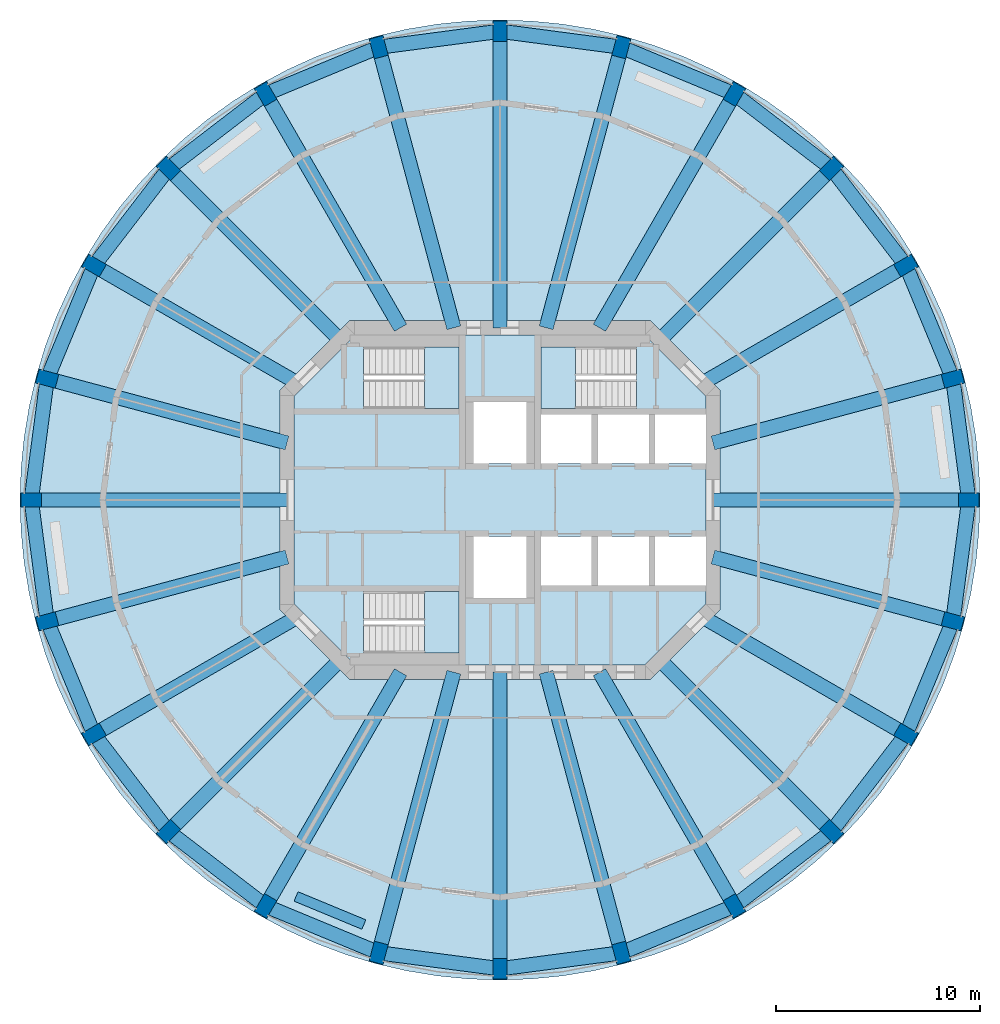
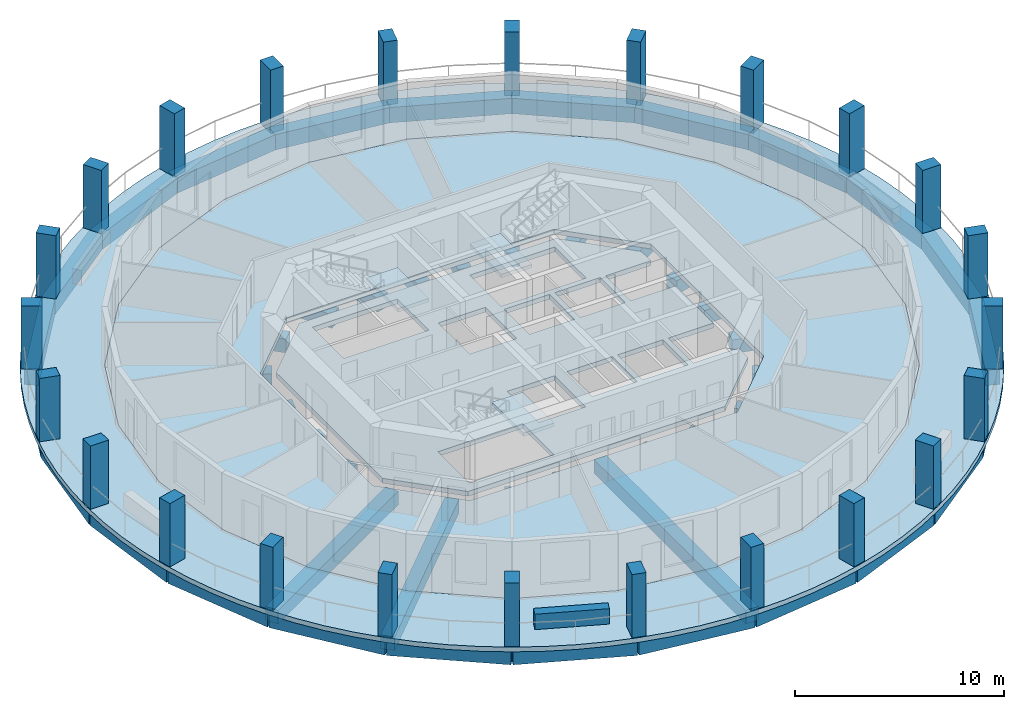
# One storey, part 1 of 9: 48 beams, 24 columns, 6 slabs, 1 wall, 3 elements without a shape of their own.
"""IFC4 building model written with IfcOpenShell, lengths in metres."""

from ifc_helpers import new_model, si_unit, direction, frame, frame_2d, origin, origin_2d, place, context, subcontext, project, spatial, polyline, rectangle, outline, extrude, material, layer, layer_set, material_profile, profile_set, type_object, element, aggregate, save


model = new_model("IFC4")

# Units and contexts
model_context = context("Model", 3, precision=1e-05, world=origin(), true_north=direction((0.0, 1.0)))
body_context = subcontext(model_context, "Body", "Model", "MODEL_VIEW")
ifc_project = project(units=[si_unit("LENGTHUNIT", "METRE"), si_unit("AREAUNIT", "SQUARE_METRE"), si_unit("VOLUMEUNIT", "CUBIC_METRE"), si_unit("PLANEANGLEUNIT", "RADIAN"), si_unit("MASSUNIT", "GRAM", prefix="KILO")], contexts=[model_context])

# Site, building, storey
site_placement = place(None, origin())
site = spatial("IfcSite", under=ifc_project, at=site_placement, CompositionType="ELEMENT")
building_placement = place(site_placement, origin())
building = spatial("IfcBuilding", under=site, at=building_placement, Name="Torre Triforio", CompositionType="ELEMENT")
storey_placement = place(building_placement, frame((0.0, 0.0, 215.0)))
storey = spatial("IfcBuildingStorey", under=building, at=storey_placement, Name="L49", CompositionType="ELEMENT", Elevation=215.0)

# Columns
ifc_material_1 = material(Name="Concrete C50", Category="concrete")
ifc_material_profile_1 = material_profile(ifc_material_1, rectangle(XDim=0.699951171875, YDim=1.0, at=origin_2d()), Name="RC 700x1000")
ifc_profile_set_1 = profile_set([ifc_material_profile_1], Name="Concrete C50")
column_type = type_object("IfcColumnType", Name="Pier RC 700x1000 C50", PredefinedType="COLUMN", material=ifc_profile_set_1)
for number, where, z_axis, x_axis, name in (
    (1, (23.0, 0.0, 0.0), (0.0, 0.0, 1.0), (0.0, 1.0, 0.0), "COL.R.L49.00"),
    (2, (22.21630859375, 5.952880859375, 0.0), (0.0, 0.0, 1.0), (-0.258819045103, 0.965925826289, 0.0), "COL.R.L49.01"),
    (3, (19.918701171875, 11.5, 0.0), (0.0, 0.0, 1.0), (-0.5, 0.866025403784, 0.0), "COL.R.L49.02"),
    (4, (16.263427734375, 16.263427734375, 0.0), (0.0, 0.0, 1.0), (-0.707106781187, 0.707106781187, 0.0), "COL.R.L49.03"),
    (5, (11.5, 19.918701171875, 0.0), (0.0, 0.0, 1.0), (-0.866025403784, 0.5, 0.0), "COL.R.L49.04"),
    (6, (5.952880859375, 22.21630859375, 0.0), (0.0, 0.0, 1.0), (-0.965925826289, 0.258819045103, 0.0), "COL.R.L49.05"),
    (7, (0.0, 23.0, 0.0), (0.0, 0.0, 1.0), (-1.0, 0.0, 0.0), "COL.R.L49.06"),
    (8, (-5.952880859375, 22.21630859375, 0.0), (0.0, 0.0, 1.0), (-0.965925826289, -0.258819045103, 0.0), "COL.R.L49.07"),
    (9, (-11.5, 19.918701171875, 0.0), (0.0, 0.0, 1.0), (-0.866025403784, -0.5, 0.0), "COL.R.L49.08"),
    (10, (-16.263427734375, 16.263427734375, 0.0), (0.0, 0.0, 1.0), (-0.707106781187, -0.707106781187, 0.0), "COL.R.L49.09"),
    (11, (-19.918701171875, 11.5, 0.0), (0.0, 0.0, 1.0), (-0.5, -0.866025403784, 0.0), "COL.R.L49.10"),
    (12, (-22.21630859375, 5.952880859375, 0.0), (0.0, 0.0, 1.0), (-0.258819045103, -0.965925826289, 0.0), "COL.R.L49.11"),
    (13, (-23.0, 0.0, 0.0), (0.0, 0.0, 1.0), (0.0, -1.0, 0.0), "COL.R.L49.12"),
    (14, (-22.21630859375, -5.952880859375, 0.0), (0.0, 0.0, 1.0), (0.258819045103, -0.965925826289, 0.0), "COL.R.L49.13"),
    (15, (-19.918701171875, -11.5, 0.0), (0.0, 0.0, 1.0), (0.5, -0.866025403784, 0.0), "COL.R.L49.14"),
    (16, (-16.263427734375, -16.263427734375, 0.0), (0.0, 0.0, 1.0), (0.707106781187, -0.707106781187, 0.0), "COL.R.L49.15"),
    (17, (-11.5, -19.918701171875, 0.0), (0.0, 0.0, 1.0), (0.866025403784, -0.5, 0.0), "COL.R.L49.16"),
    (18, (-5.952880859375, -22.21630859375, 0.0), (0.0, 0.0, 1.0), (0.965925826289, -0.258819045103, 0.0), "COL.R.L49.17"),
    (19, (0.0, -23.0, 0.0), (0.0, 0.0, 1.0), (1.0, 0.0, 0.0), "COL.R.L49.18"),
    (20, (5.952880859375, -22.21630859375, 0.0), (0.0, 0.0, 1.0), (0.965925826289, 0.258819045103, 0.0), "COL.R.L49.19"),
    (21, (11.5, -19.918701171875, 0.0), (0.0, 0.0, 1.0), (0.866025403784, 0.5, 0.0), "COL.R.L49.20"),
    (22, (16.263427734375, -16.263427734375, 0.0), (0.0, 0.0, 1.0), (0.707106781187, 0.707106781187, 0.0), "COL.R.L49.21"),
    (23, (19.918701171875, -11.5, 0.0), (0.0, 0.0, 1.0), (0.5, 0.866025403784, 0.0), "COL.R.L49.22"),
    (24, (22.21630859375, -5.952880859375, 0.0), (0.0, 0.0, 1.0), (0.258819045103, 0.965925826289, 0.0), "COL.R.L49.23"),
):
    element("IfcColumn", number, at=place(storey_placement, frame(where, z_axis=z_axis, x_axis=x_axis)), inside=storey, type_object=column_type, Name=name, PredefinedType="COLUMN", context=body_context, shape_type="SweptSolid", body=[
        extrude(rectangle(XDim=0.699951171875, YDim=1.0, at=origin_2d()), origin(), (0.0, 0.0, 1.0), 3.699951171875),
    ])

# Beams
ifc_material_2 = material(Name="Concrete C40", Category="concrete")
ifc_material_profile_2 = material_profile(ifc_material_2, rectangle(XDim=0.699951171875, YDim=0.800048828125, at=origin_2d()), Name="RC 700x800")
ifc_profile_set_2 = profile_set([ifc_material_profile_2], Name="Concrete C40")
beam_type_1 = type_object("IfcBeamType", Name="Radial beam RC 700x800 C40", PredefinedType="BEAM", material=ifc_profile_set_2)
beam_1_placement = place(storey_placement, frame((10.449951171875, 0.0, -0.679931640625), z_axis=(1.0, 0.0, 0.0), x_axis=(0.0, 1.0, 0.0)))
element("IfcBeam", 25, at=beam_1_placement, inside=storey, type_object=beam_type_1, Name="BM.R.L49.00", PredefinedType="BEAM", context=body_context, shape_type="SweptSolid", body=[
    extrude(rectangle(XDim=0.699951171875, YDim=0.800048828125, at=origin_2d()), origin(), (0.0, 0.0, 1.0), 12.550048828125),
])
beam_2_placement = place(storey_placement, frame((10.449951171875, 2.800048828125, -0.679931640625), z_axis=(0.965924880947, 0.258822573141, 0.0), x_axis=(-0.258822573141, 0.965924880947, 0.0)))
element("IfcBeam", 26, at=beam_2_placement, inside=storey, type_object=beam_type_1, Name="BM.R.L49.01", PredefinedType="BEAM", context=body_context, shape_type="SweptSolid", body=[
    extrude(rectangle(XDim=0.699951171875, YDim=0.800048828125, at=origin_2d()), origin(), (0.0, 0.0, 1.0), 12.181396484375),
])
beam_3_placement = place(storey_placement, frame((9.9501953125, 5.744873046875, -0.679931640625), z_axis=(0.866032648629, 0.499987451351, 0.0), x_axis=(-0.499987451351, 0.866032648629, 0.0)))
element("IfcBeam", 27, at=beam_3_placement, inside=storey, type_object=beam_type_1, Name="BM.R.L49.02", PredefinedType="BEAM", context=body_context, shape_type="SweptSolid", body=[
    extrude(rectangle(XDim=0.699951171875, YDim=0.800048828125, at=origin_2d()), origin(), (0.0, 0.0, 1.0), 11.510498046875),
])
beam_4_placement = place(storey_placement, frame((7.847412109375, 7.847412109375, -0.679931640625), z_axis=(0.707106781187, 0.707106781187, 0.0), x_axis=(-0.707106781187, 0.707106781187, 0.0)))
element("IfcBeam", 28, at=beam_4_placement, inside=storey, type_object=beam_type_1, Name="BM.R.L49.03", PredefinedType="BEAM", context=body_context, shape_type="SweptSolid", body=[
    extrude(rectangle(XDim=0.699951171875, YDim=0.800048828125, at=origin_2d()), origin(), (0.0, 0.0, 1.0), 11.902099609375),
])
beam_5_placement = place(storey_placement, frame((4.878662109375, 8.449951171875, -0.679931640625), z_axis=(0.499991617607, 0.866030243307, 0.0), x_axis=(-0.866030243307, 0.499991617607, 0.0)))
element("IfcBeam", 29, at=beam_5_placement, inside=storey, type_object=beam_type_1, Name="BM.R.L49.04", PredefinedType="BEAM", context=body_context, shape_type="SweptSolid", body=[
    extrude(rectangle(XDim=0.699951171875, YDim=0.800048828125, at=origin_2d()), origin(), (0.0, 0.0, 1.0), 13.242919921875),
])
beam_6_placement = place(storey_placement, frame((2.26416015625, 8.449951171875, -0.679931640625), z_axis=(0.258821424719, 0.96592518867, 0.0), x_axis=(-0.96592518867, 0.258821424719, 0.0)))
element("IfcBeam", 30, at=beam_6_placement, inside=storey, type_object=beam_type_1, Name="BM.R.L49.05", PredefinedType="BEAM", context=body_context, shape_type="SweptSolid", body=[
    extrude(rectangle(XDim=0.699951171875, YDim=0.800048828125, at=origin_2d()), origin(), (0.0, 0.0, 1.0), 14.251953125),
])
beam_7_placement = place(storey_placement, frame((0.0, 8.449951171875, -0.679931640625), z_axis=(0.0, 1.0, 0.0), x_axis=(-1.0, 0.0, 0.0)))
element("IfcBeam", 31, at=beam_7_placement, inside=storey, type_object=beam_type_1, Name="BM.R.L49.06", PredefinedType="BEAM", context=body_context, shape_type="SweptSolid", body=[
    extrude(rectangle(XDim=0.699951171875, YDim=0.800048828125, at=origin_2d()), origin(), (0.0, 0.0, 1.0), 14.550048828125),
])
beam_8_placement = place(storey_placement, frame((-2.26416015625, 8.449951171875, -0.679931640625), z_axis=(-0.258821424719, 0.96592518867, 0.0), x_axis=(-0.96592518867, -0.258821424719, 0.0)))
element("IfcBeam", 32, at=beam_8_placement, inside=storey, type_object=beam_type_1, Name="BM.R.L49.07", PredefinedType="BEAM", context=body_context, shape_type="SweptSolid", body=[
    extrude(rectangle(XDim=0.699951171875, YDim=0.800048828125, at=origin_2d()), origin(), (0.0, 0.0, 1.0), 14.251953125),
])
beam_9_placement = place(storey_placement, frame((-4.878662109375, 8.449951171875, -0.679931640625), z_axis=(-0.499991617607, 0.866030243307, 0.0), x_axis=(-0.866030243307, -0.499991617607, 0.0)))
element("IfcBeam", 33, at=beam_9_placement, inside=storey, type_object=beam_type_1, Name="BM.R.L49.08", PredefinedType="BEAM", context=body_context, shape_type="SweptSolid", body=[
    extrude(rectangle(XDim=0.699951171875, YDim=0.800048828125, at=origin_2d()), origin(), (0.0, 0.0, 1.0), 13.242919921875),
])
beam_10_placement = place(storey_placement, frame((-7.847412109375, 7.847412109375, -0.679931640625), z_axis=(-0.707106781187, 0.707106781187, 0.0), x_axis=(-0.707106781187, -0.707106781187, 0.0)))
element("IfcBeam", 34, at=beam_10_placement, inside=storey, type_object=beam_type_1, Name="BM.R.L49.09", PredefinedType="BEAM", context=body_context, shape_type="SweptSolid", body=[
    extrude(rectangle(XDim=0.699951171875, YDim=0.800048828125, at=origin_2d()), origin(), (0.0, 0.0, 1.0), 11.902099609375),
])
beam_11_placement = place(storey_placement, frame((-9.9501953125, 5.744873046875, -0.679931640625), z_axis=(-0.866032648629, 0.499987451351, 0.0), x_axis=(-0.499987451351, -0.866032648629, 0.0)))
element("IfcBeam", 35, at=beam_11_placement, inside=storey, type_object=beam_type_1, Name="BM.R.L49.10", PredefinedType="BEAM", context=body_context, shape_type="SweptSolid", body=[
    extrude(rectangle(XDim=0.699951171875, YDim=0.800048828125, at=origin_2d()), origin(), (0.0, 0.0, 1.0), 11.510498046875),
])
beam_12_placement = place(storey_placement, frame((-10.449951171875, 2.800048828125, -0.679931640625), z_axis=(-0.965924880947, 0.258822573141, 0.0), x_axis=(-0.258822573141, -0.965924880947, 0.0)))
element("IfcBeam", 36, at=beam_12_placement, inside=storey, type_object=beam_type_1, Name="BM.R.L49.11", PredefinedType="BEAM", context=body_context, shape_type="SweptSolid", body=[
    extrude(rectangle(XDim=0.699951171875, YDim=0.800048828125, at=origin_2d()), origin(), (0.0, 0.0, 1.0), 12.181396484375),
])
beam_13_placement = place(storey_placement, frame((-10.449951171875, 0.0, -0.679931640625), z_axis=(-1.0, 0.0, 0.0), x_axis=(0.0, -1.0, 0.0)))
element("IfcBeam", 37, at=beam_13_placement, inside=storey, type_object=beam_type_1, Name="BM.R.L49.12", PredefinedType="BEAM", context=body_context, shape_type="SweptSolid", body=[
    extrude(rectangle(XDim=0.699951171875, YDim=0.800048828125, at=origin_2d()), origin(), (0.0, 0.0, 1.0), 12.550048828125),
])
beam_14_placement = place(storey_placement, frame((-10.449951171875, -2.800048828125, -0.679931640625), z_axis=(-0.965924880947, -0.258822573141, 0.0), x_axis=(0.258822573141, -0.965924880947, 0.0)))
element("IfcBeam", 38, at=beam_14_placement, inside=storey, type_object=beam_type_1, Name="BM.R.L49.13", PredefinedType="BEAM", context=body_context, shape_type="SweptSolid", body=[
    extrude(rectangle(XDim=0.699951171875, YDim=0.800048828125, at=origin_2d()), origin(), (0.0, 0.0, 1.0), 12.181396484375),
])
beam_15_placement = place(storey_placement, frame((-9.9501953125, -5.744873046875, -0.679931640625), z_axis=(-0.866032648629, -0.499987451351, 0.0), x_axis=(0.499987451351, -0.866032648629, 0.0)))
element("IfcBeam", 39, at=beam_15_placement, inside=storey, type_object=beam_type_1, Name="BM.R.L49.14", PredefinedType="BEAM", context=body_context, shape_type="SweptSolid", body=[
    extrude(rectangle(XDim=0.699951171875, YDim=0.800048828125, at=origin_2d()), origin(), (0.0, 0.0, 1.0), 11.510498046875),
])
beam_16_placement = place(storey_placement, frame((-7.847412109375, -7.847412109375, -0.679931640625), z_axis=(-0.707106781187, -0.707106781187, 0.0), x_axis=(0.707106781187, -0.707106781187, 0.0)))
element("IfcBeam", 40, at=beam_16_placement, inside=storey, type_object=beam_type_1, Name="BM.R.L49.15", PredefinedType="BEAM", context=body_context, shape_type="SweptSolid", body=[
    extrude(rectangle(XDim=0.699951171875, YDim=0.800048828125, at=origin_2d()), origin(), (0.0, 0.0, 1.0), 11.902099609375),
])
beam_17_placement = place(storey_placement, frame((-4.878662109375, -8.449951171875, -0.679931640625), z_axis=(-0.499991617607, -0.866030243307, 0.0), x_axis=(0.866030243307, -0.499991617607, 0.0)))
element("IfcBeam", 41, at=beam_17_placement, inside=storey, type_object=beam_type_1, Name="BM.R.L49.16", PredefinedType="BEAM", context=body_context, shape_type="SweptSolid", body=[
    extrude(rectangle(XDim=0.699951171875, YDim=0.800048828125, at=origin_2d()), origin(), (0.0, 0.0, 1.0), 13.242919921875),
])
beam_18_placement = place(storey_placement, frame((-2.26416015625, -8.449951171875, -0.679931640625), z_axis=(-0.258821424719, -0.96592518867, 0.0), x_axis=(0.96592518867, -0.258821424719, 0.0)))
element("IfcBeam", 42, at=beam_18_placement, inside=storey, type_object=beam_type_1, Name="BM.R.L49.17", PredefinedType="BEAM", context=body_context, shape_type="SweptSolid", body=[
    extrude(rectangle(XDim=0.699951171875, YDim=0.800048828125, at=origin_2d()), origin(), (0.0, 0.0, 1.0), 14.251953125),
])
beam_19_placement = place(storey_placement, frame((0.0, -8.449951171875, -0.679931640625), z_axis=(0.0, -1.0, 0.0), x_axis=(1.0, 0.0, 0.0)))
element("IfcBeam", 43, at=beam_19_placement, inside=storey, type_object=beam_type_1, Name="BM.R.L49.18", PredefinedType="BEAM", context=body_context, shape_type="SweptSolid", body=[
    extrude(rectangle(XDim=0.699951171875, YDim=0.800048828125, at=origin_2d()), origin(), (0.0, 0.0, 1.0), 14.550048828125),
])
beam_20_placement = place(storey_placement, frame((2.26416015625, -8.449951171875, -0.679931640625), z_axis=(0.258821424719, -0.96592518867, 0.0), x_axis=(0.96592518867, 0.258821424719, 0.0)))
element("IfcBeam", 44, at=beam_20_placement, inside=storey, type_object=beam_type_1, Name="BM.R.L49.19", PredefinedType="BEAM", context=body_context, shape_type="SweptSolid", body=[
    extrude(rectangle(XDim=0.699951171875, YDim=0.800048828125, at=origin_2d()), origin(), (0.0, 0.0, 1.0), 14.251953125),
])
beam_21_placement = place(storey_placement, frame((4.878662109375, -8.449951171875, -0.679931640625), z_axis=(0.499991617607, -0.866030243307, 0.0), x_axis=(0.866030243307, 0.499991617607, 0.0)))
element("IfcBeam", 45, at=beam_21_placement, inside=storey, type_object=beam_type_1, Name="BM.R.L49.20", PredefinedType="BEAM", context=body_context, shape_type="SweptSolid", body=[
    extrude(rectangle(XDim=0.699951171875, YDim=0.800048828125, at=origin_2d()), origin(), (0.0, 0.0, 1.0), 13.242919921875),
])
beam_22_placement = place(storey_placement, frame((7.847412109375, -7.847412109375, -0.679931640625), z_axis=(0.707106781187, -0.707106781187, 0.0), x_axis=(0.707106781187, 0.707106781187, 0.0)))
element("IfcBeam", 46, at=beam_22_placement, inside=storey, type_object=beam_type_1, Name="BM.R.L49.21", PredefinedType="BEAM", context=body_context, shape_type="SweptSolid", body=[
    extrude(rectangle(XDim=0.699951171875, YDim=0.800048828125, at=origin_2d()), origin(), (0.0, 0.0, 1.0), 11.902099609375),
])
beam_23_placement = place(storey_placement, frame((9.9501953125, -5.744873046875, -0.679931640625), z_axis=(0.866032648629, -0.499987451351, 0.0), x_axis=(0.499987451351, 0.866032648629, 0.0)))
element("IfcBeam", 47, at=beam_23_placement, inside=storey, type_object=beam_type_1, Name="BM.R.L49.22", PredefinedType="BEAM", context=body_context, shape_type="SweptSolid", body=[
    extrude(rectangle(XDim=0.699951171875, YDim=0.800048828125, at=origin_2d()), origin(), (0.0, 0.0, 1.0), 11.510498046875),
])
beam_24_placement = place(storey_placement, frame((10.449951171875, -2.800048828125, -0.679931640625), z_axis=(0.965924880947, -0.258822573141, 0.0), x_axis=(0.258822573141, 0.965924880947, 0.0)))
element("IfcBeam", 48, at=beam_24_placement, inside=storey, type_object=beam_type_1, Name="BM.R.L49.23", PredefinedType="BEAM", context=body_context, shape_type="SweptSolid", body=[
    extrude(rectangle(XDim=0.699951171875, YDim=0.800048828125, at=origin_2d()), origin(), (0.0, 0.0, 1.0), 12.181396484375),
])
ifc_material_profile_3 = material_profile(ifc_material_2, rectangle(XDim=0.699951171875, YDim=0.89990234375, at=origin_2d()), Name="RC 700x900")
ifc_profile_set_3 = profile_set([ifc_material_profile_3], Name="Concrete C40")
beam_type_2 = type_object("IfcBeamType", Name="Spandrel beam RC 700x900 C40", PredefinedType="SPANDREL", material=ifc_profile_set_3)
for number, where, z_axis, x_axis, name in (
    (49, (23.0, 0.0, -0.72998046875), (-0.130522880875, 0.991445297315, 0.0), (-0.991445297315, -0.130522880875, 0.0), "BM.S.L49.00"),
    (50, (22.21630859375, 5.952880859375, -0.72998046875), (-0.382671411433, 0.923884511653, 0.0), (-0.923884511653, -0.382671411433, 0.0), "BM.S.L49.01"),
    (51, (19.918701171875, 11.5, -0.72998046875), (-0.608778912074, 0.793339924758, 0.0), (-0.793339924758, -0.608778912074, 0.0), "BM.S.L49.02"),
    (52, (16.263427734375, 16.263427734375, -0.72998046875), (-0.793339924758, 0.608778912074, 0.0), (-0.608778912074, -0.793339924758, 0.0), "BM.S.L49.03"),
    (53, (11.5, 19.918701171875, -0.72998046875), (-0.923884511653, 0.382671411433, 0.0), (-0.382671411433, -0.923884511653, 0.0), "BM.S.L49.04"),
    (54, (5.952880859375, 22.21630859375, -0.72998046875), (-0.991445297315, 0.130522880875, 0.0), (-0.130522880875, -0.991445297315, 0.0), "BM.S.L49.05"),
    (55, (0.0, 23.0, -0.72998046875), (-0.991445297315, -0.130522880875, 0.0), (0.130522880875, -0.991445297315, 0.0), "BM.S.L49.06"),
    (56, (-5.952880859375, 22.21630859375, -0.72998046875), (-0.923884511653, -0.382671411433, 0.0), (0.382671411433, -0.923884511653, 0.0), "BM.S.L49.07"),
    (57, (-11.5, 19.918701171875, -0.72998046875), (-0.793339924758, -0.608778912074, 0.0), (0.608778912074, -0.793339924758, 0.0), "BM.S.L49.08"),
    (58, (-16.263427734375, 16.263427734375, -0.72998046875), (-0.608778912074, -0.793339924758, 0.0), (0.793339924758, -0.608778912074, 0.0), "BM.S.L49.09"),
    (59, (-19.918701171875, 11.5, -0.72998046875), (-0.382671411433, -0.923884511653, 0.0), (0.923884511653, -0.382671411433, 0.0), "BM.S.L49.10"),
    (60, (-22.21630859375, 5.952880859375, -0.72998046875), (-0.130522880875, -0.991445297315, 0.0), (0.991445297315, -0.130522880875, 0.0), "BM.S.L49.11"),
    (61, (-23.0, 0.0, -0.72998046875), (0.130522880875, -0.991445297315, 0.0), (0.991445297315, 0.130522880875, 0.0), "BM.S.L49.12"),
    (62, (-22.21630859375, -5.952880859375, -0.72998046875), (0.382671411433, -0.923884511653, 0.0), (0.923884511653, 0.382671411433, 0.0), "BM.S.L49.13"),
    (63, (-19.918701171875, -11.5, -0.72998046875), (0.608778912074, -0.793339924758, 0.0), (0.793339924758, 0.608778912074, 0.0), "BM.S.L49.14"),
    (64, (-16.263427734375, -16.263427734375, -0.72998046875), (0.793339924758, -0.608778912074, 0.0), (0.608778912074, 0.793339924758, 0.0), "BM.S.L49.15"),
    (65, (-11.5, -19.918701171875, -0.72998046875), (0.923884511653, -0.382671411433, 0.0), (0.382671411433, 0.923884511653, 0.0), "BM.S.L49.16"),
    (66, (-5.952880859375, -22.21630859375, -0.72998046875), (0.991445297315, -0.130522880875, 0.0), (0.130522880875, 0.991445297315, 0.0), "BM.S.L49.17"),
    (67, (0.0, -23.0, -0.72998046875), (0.991445297315, 0.130522880875, 0.0), (-0.130522880875, 0.991445297315, 0.0), "BM.S.L49.18"),
    (68, (5.952880859375, -22.21630859375, -0.72998046875), (0.923884511653, 0.382671411433, 0.0), (-0.382671411433, 0.923884511653, 0.0), "BM.S.L49.19"),
    (69, (11.5, -19.918701171875, -0.72998046875), (0.793339924758, 0.608778912074, 0.0), (-0.608778912074, 0.793339924758, 0.0), "BM.S.L49.20"),
    (70, (16.263427734375, -16.263427734375, -0.72998046875), (0.608778912074, 0.793339924758, 0.0), (-0.793339924758, 0.608778912074, 0.0), "BM.S.L49.21"),
    (71, (19.918701171875, -11.5, -0.72998046875), (0.382671411433, 0.923884511653, 0.0), (-0.923884511653, 0.382671411433, 0.0), "BM.S.L49.22"),
    (72, (22.21630859375, -5.952880859375, -0.72998046875), (0.130522880875, 0.991445297315, 0.0), (-0.991445297315, 0.130522880875, 0.0), "BM.S.L49.23"),
):
    element("IfcBeam", number, at=place(storey_placement, frame(where, z_axis=z_axis, x_axis=x_axis)), inside=storey, type_object=beam_type_2, Name=name, PredefinedType="SPANDREL", context=body_context, shape_type="SweptSolid", body=[
        extrude(rectangle(XDim=0.699951171875, YDim=0.89990234375, at=origin_2d()), origin(), (0.0, 0.0, 1.0), 6.004150390625),
    ])

# Slabs
ifc_layer_1 = layer(ifc_material_1, 0.280029296875)
ifc_layer_set_1 = layer_set([ifc_layer_1], Name="Concrete C50")
slab_type_1 = type_object("IfcSlabType", Name="Core floor slab 280 mm C50 REI 120", PredefinedType="FLOOR", material=ifc_layer_set_1)
slab_1_placement = place(storey_placement, frame((0.0, 0.0, -0.280029296875)))
element("IfcSlab", 73, at=slab_1_placement, inside=storey, type_object=slab_type_1, Name="Core floor slab", PredefinedType="FLOOR", context=body_context, shape_type="SweptSolid", body=[
    extrude(outline(polyline([(10.10009765625, -5.10009765625), (7.10009765625, -8.10009765625), (-7.10009765625, -8.10009765625), (-10.10009765625, -5.10009765625), (-10.10009765625, 5.10009765625), (-7.10009765625, 8.10009765625), (7.10009765625, 8.10009765625), (10.10009765625, 5.10009765625), (10.10009765625, 4.199951171875), (7.60009765625, 4.199951171875), (7.60009765625, 1.800048828125), (10.10009765625, 1.800048828125), (10.10009765625, -1.800048828125), (7.60009765625, -1.800048828125), (7.60009765625, -4.199951171875), (10.10009765625, -4.199951171875), (10.10009765625, -5.10009765625)]), holes=[polyline([(-6.696044921875, -4.5), (-6.696044921875, -7.5), (-2.0, -7.5), (-2.0, -4.5), (-6.696044921875, -4.5)]), polyline([(-1.300048828125, -1.800048828125), (-1.300048828125, -4.800048828125), (1.300048828125, -4.800048828125), (1.300048828125, -1.800048828125), (-1.300048828125, -1.800048828125)]), polyline([(2.0, -1.800048828125), (2.0, -4.199951171875), (4.5, -4.199951171875), (4.5, -1.800048828125), (2.0, -1.800048828125)]), polyline([(4.5, 4.199951171875), (2.0, 4.199951171875), (2.0, 1.800048828125), (4.5, 1.800048828125), (4.5, 4.199951171875)]), polyline([(1.300048828125, 4.800048828125), (-1.300048828125, 4.800048828125), (-1.300048828125, 1.800048828125), (1.300048828125, 1.800048828125), (1.300048828125, 4.800048828125)]), polyline([(-6.696044921875, 7.5), (-6.696044921875, 4.5), (-2.0, 4.5), (-2.0, 7.5), (-6.696044921875, 7.5)]), polyline([(7.300048828125, -1.800048828125), (4.800048828125, -1.800048828125), (4.800048828125, -4.199951171875), (7.300048828125, -4.199951171875), (7.300048828125, -1.800048828125)]), polyline([(4.800048828125, 4.199951171875), (4.800048828125, 1.800048828125), (7.300048828125, 1.800048828125), (7.300048828125, 4.199951171875), (4.800048828125, 4.199951171875)]), polyline([(6.696044921875, 7.5), (2.0, 7.5), (2.0, 4.5), (6.696044921875, 4.5), (6.696044921875, 7.5)])]), origin(), (0.0, 0.0, 1.0), 0.280029296875),
])
ifc_layer_2 = layer(ifc_material_2, 0.280029296875)
ifc_layer_set_2 = layer_set([ifc_layer_2], Name="Concrete C40")
slab_type_2 = type_object("IfcSlabType", Name="Floor slab 280 C40", PredefinedType="FLOOR", material=ifc_layer_set_2)
slab_2_placement = place(storey_placement, frame((0.0, 0.0, -0.280029296875)))
element("IfcSlab", 74, at=slab_2_placement, inside=storey, type_object=slab_type_2, Name="SL.L49", PredefinedType="FLOOR", context=body_context, shape_type="SweptSolid", body=[
    extrude(outline(polyline([(16.887451171875, -9.75), (18.83544921875, -5.046875), (19.5, 0.0), (18.83544921875, 5.046875), (16.887451171875, 9.75), (13.78857421875, 13.78857421875), (9.75, 16.887451171875), (5.046875, 18.83544921875), (0.0, 19.5), (-5.046875, 18.83544921875), (-9.75, 16.887451171875), (-13.78857421875, 13.78857421875), (-16.887451171875, 9.75), (-18.83544921875, 5.046875), (-19.5, 0.0), (-18.83544921875, -5.046875), (-16.887451171875, -9.75), (-13.78857421875, -13.78857421875), (-9.75, -16.887451171875), (-5.046875, -18.83544921875), (0.0, -19.5), (5.046875, -18.83544921875), (9.75, -16.887451171875), (13.78857421875, -13.78857421875), (16.887451171875, -9.75)]), holes=[polyline([(10.800048828125, 5.389892578125), (10.800048828125, -5.389892578125), (7.389892578125, -8.800048828125), (-7.389892578125, -8.800048828125), (-10.800048828125, -5.389892578125), (-10.800048828125, 5.389892578125), (-7.389892578125, 8.800048828125), (7.389892578125, 8.800048828125), (10.800048828125, 5.389892578125)])]), origin(), (0.0, 0.0, 1.0), 0.280029296875),
])
ifc_layer_3 = layer(ifc_material_2, 0.280029296875)
ifc_layer_set_3 = layer_set([ifc_layer_3], Name="Concrete C40")
slab_type_3 = type_object("IfcSlabType", Name="Loggia slab 280 C40", PredefinedType="FLOOR", material=ifc_layer_set_3)
slab_3_placement = place(storey_placement, frame((0.0, 0.0, -0.280029296875)))
element("IfcSlab", 75, at=slab_3_placement, inside=storey, type_object=slab_type_3, Name="SL.L49.LG", PredefinedType="FLOOR", context=body_context, shape_type="SweptSolid", body=[
    extrude(outline(polyline([(23.49951171875, -1.540283203125), (23.550048828125, 0.0), (23.49951171875, 1.540283203125), (23.3486328125, 3.073974609375), (23.097412109375, 4.594482421875), (22.74755859375, 6.09521484375), (22.30029296875, 7.56982421875), (21.75732421875, 9.01220703125), (21.121337890625, 10.416015625), (20.39501953125, 11.77490234375), (19.5810546875, 13.083740234375), (18.683349609375, 14.33642578125), (17.705810546875, 15.527587890625), (16.65234375, 16.65234375), (15.527587890625, 17.705810546875), (14.33642578125, 18.683349609375), (13.083740234375, 19.5810546875), (11.77490234375, 20.39501953125), (10.416015625, 21.121337890625), (9.01220703125, 21.75732421875), (7.56982421875, 22.30029296875), (6.09521484375, 22.74755859375), (4.594482421875, 23.097412109375), (3.073974609375, 23.3486328125), (1.540283203125, 23.49951171875), (0.0, 23.550048828125), (-1.540283203125, 23.49951171875), (-3.073974609375, 23.3486328125), (-4.594482421875, 23.097412109375), (-6.09521484375, 22.74755859375), (-7.56982421875, 22.30029296875), (-9.01220703125, 21.75732421875), (-10.416015625, 21.121337890625), (-11.77490234375, 20.39501953125), (-13.083740234375, 19.5810546875), (-14.33642578125, 18.683349609375), (-15.527587890625, 17.705810546875), (-16.65234375, 16.65234375), (-17.705810546875, 15.527587890625), (-18.683349609375, 14.33642578125), (-19.5810546875, 13.083740234375), (-20.39501953125, 11.77490234375), (-21.121337890625, 10.416015625), (-21.75732421875, 9.01220703125), (-22.30029296875, 7.56982421875), (-22.74755859375, 6.09521484375), (-23.097412109375, 4.594482421875), (-23.3486328125, 3.073974609375), (-23.49951171875, 1.540283203125), (-23.550048828125, 0.0), (-23.49951171875, -1.540283203125), (-23.3486328125, -3.073974609375), (-23.097412109375, -4.594482421875), (-22.74755859375, -6.09521484375), (-22.30029296875, -7.56982421875), (-21.75732421875, -9.01220703125), (-21.121337890625, -10.416015625), (-20.39501953125, -11.77490234375), (-19.5810546875, -13.083740234375), (-18.683349609375, -14.33642578125), (-17.705810546875, -15.527587890625), (-16.65234375, -16.65234375), (-15.527587890625, -17.705810546875), (-14.33642578125, -18.683349609375), (-13.083740234375, -19.5810546875), (-11.77490234375, -20.39501953125), (-10.416015625, -21.121337890625), (-9.01220703125, -21.75732421875), (-7.56982421875, -22.30029296875), (-6.09521484375, -22.74755859375), (-4.594482421875, -23.097412109375), (-3.073974609375, -23.3486328125), (-1.540283203125, -23.49951171875), (0.0, -23.550048828125), (1.540283203125, -23.49951171875), (3.073974609375, -23.3486328125), (4.594482421875, -23.097412109375), (6.09521484375, -22.74755859375), (7.56982421875, -22.30029296875), (9.01220703125, -21.75732421875), (10.416015625, -21.121337890625), (11.77490234375, -20.39501953125), (13.083740234375, -19.5810546875), (14.33642578125, -18.683349609375), (15.527587890625, -17.705810546875), (16.65234375, -16.65234375), (17.705810546875, -15.527587890625), (18.683349609375, -14.33642578125), (19.5810546875, -13.083740234375), (20.39501953125, -11.77490234375), (21.121337890625, -10.416015625), (21.75732421875, -9.01220703125), (22.30029296875, -7.56982421875), (22.74755859375, -6.09521484375), (23.097412109375, -4.594482421875), (23.3486328125, -3.073974609375), (23.49951171875, -1.540283203125)]), holes=[polyline([(18.83544921875, 5.046875), (19.5, 0.0), (18.83544921875, -5.046875), (16.887451171875, -9.75), (13.78857421875, -13.78857421875), (9.75, -16.887451171875), (5.046875, -18.83544921875), (0.0, -19.5), (-5.046875, -18.83544921875), (-9.75, -16.887451171875), (-13.78857421875, -13.78857421875), (-16.887451171875, -9.75), (-18.83544921875, -5.046875), (-19.5, 0.0), (-18.83544921875, 5.046875), (-16.887451171875, 9.75), (-13.78857421875, 13.78857421875), (-9.75, 16.887451171875), (-5.046875, 18.83544921875), (0.0, 19.5), (5.046875, 18.83544921875), (9.75, 16.887451171875), (13.78857421875, 13.78857421875), (16.887451171875, 9.75), (18.83544921875, 5.046875)])]), origin(), (0.0, 0.0, 1.0), 0.280029296875),
])

# Stair, slab
stair_type = type_object("IfcStairType", Name="STAIR HALF-TURN", PredefinedType="HALF_TURN_STAIR", material=ifc_material_2)
stair_1_placement = place(storey_placement, origin())
stair_1 = element("IfcStair", 76, at=stair_1_placement, inside=storey, type_object=stair_type, Name="Exit stair 1", PredefinedType="HALF_TURN_STAIR")
ifc_layer_4 = layer(ifc_material_2, 0.199951171875)
ifc_layer_set_4 = layer_set([ifc_layer_4], Name="Concrete C40")
slab_type_4 = type_object("IfcSlabType", Name="STAIR LANDING 200", PredefinedType="LANDING", material=ifc_layer_set_4)
slab_4_placement = place(storey_placement, frame((0.0, 0.0, 1.64990234375)))
slab_4 = element("IfcSlab", 77, at=slab_4_placement, type_object=slab_type_4, Name="ST1 landing 1", PredefinedType="LANDING", context=body_context, shape_type="SweptSolid", body=[
    extrude(outline(polyline([(-2.0, 4.5), (-2.0, 7.5), (-3.699951171875, 7.5), (-3.699951171875, 4.5), (-2.0, 4.5)])), origin(), (0.0, 0.0, 1.0), 0.2001953125),
])
aggregate(stair_1, [slab_4])

stair_2_placement = place(storey_placement, origin())
stair_2 = element("IfcStair", 78, at=stair_2_placement, inside=storey, type_object=stair_type, Name="Exit stair 2", PredefinedType="HALF_TURN_STAIR")
slab_5_placement = place(storey_placement, frame((0.0, 0.0, 1.64990234375)))
slab_5 = element("IfcSlab", 79, at=slab_5_placement, type_object=slab_type_4, Name="ST2 landing 1", PredefinedType="LANDING", context=body_context, shape_type="SweptSolid", body=[
    extrude(outline(polyline([(3.699951171875, 4.5), (3.699951171875, 7.5), (2.0, 7.5), (2.0, 4.5), (3.699951171875, 4.5)])), origin(), (0.0, 0.0, 1.0), 0.2001953125),
])
aggregate(stair_2, [slab_5])

stair_3_placement = place(storey_placement, origin())
stair_3 = element("IfcStair", 80, at=stair_3_placement, inside=storey, type_object=stair_type, Name="Exit stair 3", PredefinedType="HALF_TURN_STAIR")
slab_6_placement = place(storey_placement, frame((0.0, 0.0, 1.64990234375)))
slab_6 = element("IfcSlab", 81, at=slab_6_placement, type_object=slab_type_4, Name="ST3 landing 1", PredefinedType="LANDING", context=body_context, shape_type="SweptSolid", body=[
    extrude(outline(polyline([(-2.0, -7.5), (-2.0, -4.5), (-3.699951171875, -4.5), (-3.699951171875, -7.5), (-2.0, -7.5)])), origin(), (0.0, 0.0, 1.0), 0.2001953125),
])
aggregate(stair_3, [slab_6])

# Wall
ifc_material_3 = material(Name="Limestone cladding", Category="masonry")
ifc_layer_5 = layer(ifc_material_3, 0.10009765625)
ifc_layer_6 = layer(ifc_material_2, 0.39990234375)
ifc_layer_set_5 = layer_set([ifc_layer_5, ifc_layer_6], Name="Limestone cladding / Concrete C40")
wall_type = type_object("IfcWallType", Name="Planter wall 500", PredefinedType="PARAPET", material=ifc_layer_set_5)
wall_placement = place(storey_placement, frame((-10.005615234375, -19.45166015625, 0.0), z_axis=(0.0, 0.0, 1.0), x_axis=(0.923885420167, -0.382669217998, 0.0)))
element("IfcWall", 82, at=wall_placement, inside=storey, type_object=wall_type, Name="Planter L49 bay 17", PredefinedType="PARAPET", context=body_context, shape_type="SweptSolid", body=[
    extrude(rectangle(XDim=3.60009765625, YDim=0.5, at=frame_2d((1.800048828125, 0.0))), origin(), (0.0, 0.0, 1.0), 0.89990234375),
])

save(model, "model.ifc")
